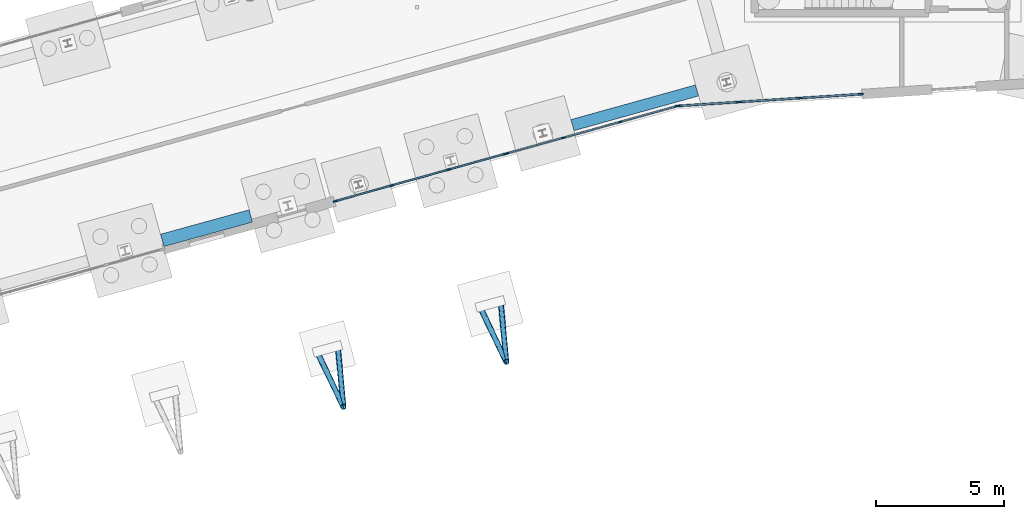
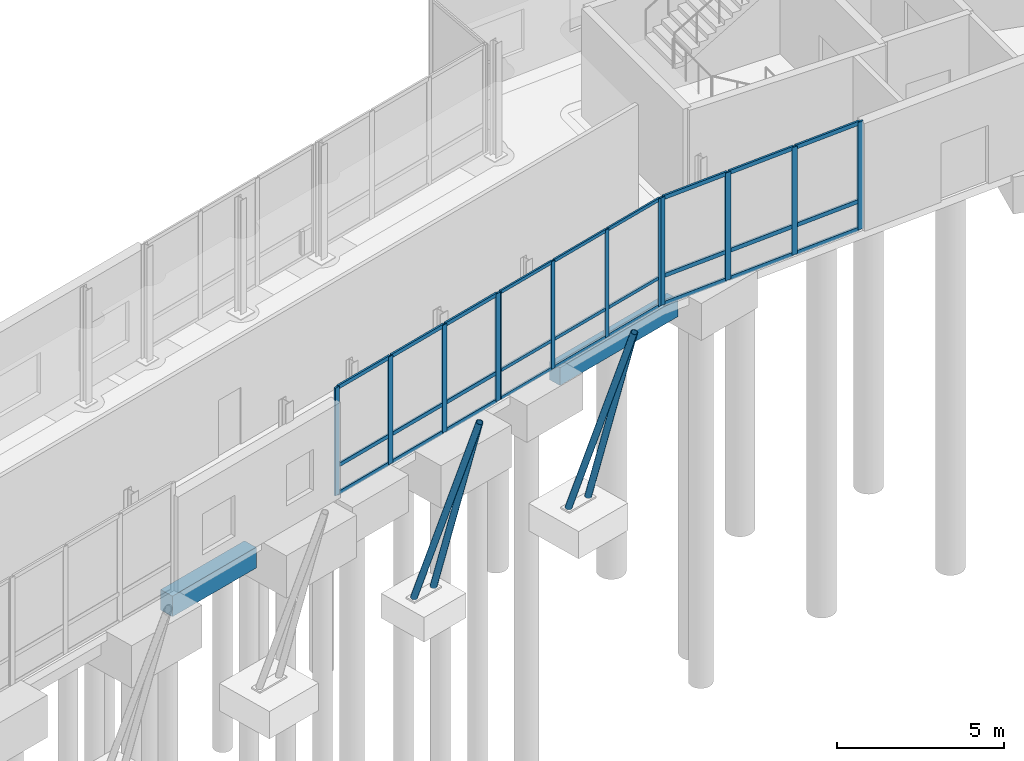
# One storey, part 35 of 113: 43 members, 2 beams, 3 elements without a shape of their own.
"""IFC4 building model written with IfcOpenShell, lengths in metres."""

from ifc_helpers import new_model, si_unit, direction, frame, origin, origin_2d, place, context, subcontext, project, spatial, rectangle, hollow_circle, extrude, material, material_profile, profile_set, type_object, element, aggregate, save


model = new_model("IFC4")

# Units and contexts
model_context = context("Model", 3, precision=1e-05, world=origin(), true_north=direction((0.0, 1.0)))
body_context = subcontext(model_context, "Body", "Model", "MODEL_VIEW")
ifc_project = project(units=[si_unit("LENGTHUNIT", "METRE"), si_unit("AREAUNIT", "SQUARE_METRE"), si_unit("VOLUMEUNIT", "CUBIC_METRE"), si_unit("PLANEANGLEUNIT", "RADIAN"), si_unit("MASSUNIT", "GRAM", prefix="KILO")], contexts=[model_context])

# Site, building, storey
site_placement = place(None, origin())
site = spatial("IfcSite", under=ifc_project, at=site_placement, CompositionType="ELEMENT")
building_placement = place(site_placement, origin())
building = spatial("IfcBuilding", under=site, at=building_placement, Name="Wrenclough Park School", CompositionType="ELEMENT")
storey_placement = place(building_placement, origin())
storey = spatial("IfcBuildingStorey", under=building, at=storey_placement, Name="L00", CompositionType="ELEMENT", Elevation=0.0)

# Curtain wall, members
ifc_material_1 = material(Name="Thermally broken aluminium and low-e glass curtain wall", Category="aluminium")
curtain_wall_type_1 = type_object("IfcCurtainWallType", Name="ENV-CW-08", PredefinedType="USERDEFINED", material=ifc_material_1)
curtain_wall_1_placement = place(storey_placement, origin())
curtain_wall_1 = element("IfcCurtainWall", 1, at=curtain_wall_1_placement, inside=storey, type_object=curtain_wall_type_1, Name="L00 recessed curtain wall assembly 039", ObjectType="CURTAIN WALL", PredefinedType="USERDEFINED")
ifc_material_2 = material(Name="Thermally broken anodised aluminium", Category="aluminium")
ifc_material_profile_1 = material_profile(ifc_material_2, rectangle(XDim=0.06005859375, YDim=0.159912109375, at=origin_2d()), Name="AL MULLION 60x160")
ifc_profile_set_1 = profile_set([ifc_material_profile_1], Name="Thermally broken anodised aluminium")
member_type_1 = type_object("IfcMemberType", Name="ENV-CWM-1", PredefinedType="MULLION", material=ifc_profile_set_1)
member_1_placement = place(storey_placement, frame((86.0087890625, 32.41845703125, 0.0), z_axis=(0.0, 0.0, 1.0), x_axis=(0.268072536011, -0.963398731282, 0.0)))
member_1 = element("IfcMember", 2, at=member_1_placement, type_object=member_type_1, Name="CW-08 mullion 1", PredefinedType="MULLION", context=body_context, shape_type="SweptSolid", body=[
    extrude(rectangle(XDim=0.06005859375, YDim=0.159912109375, at=origin_2d()), origin(), (0.0, 0.0, 1.0), 3.93994140625),
])
member_2_placement = place(storey_placement, frame((83.808349609375, 31.80615234375, 0.0), z_axis=(0.0, 0.0, 1.0), x_axis=(0.268072536011, -0.963398731282, 0.0)))
member_2 = element("IfcMember", 3, at=member_2_placement, type_object=member_type_1, Name="CW-08 mullion 2", PredefinedType="MULLION", context=body_context, shape_type="SweptSolid", body=[
    extrude(rectangle(XDim=0.06005859375, YDim=0.159912109375, at=origin_2d()), origin(), (0.0, 0.0, 1.0), 3.93994140625),
])
member_3_placement = place(storey_placement, frame((81.5791015625, 31.185791015625, 0.0), z_axis=(0.0, 0.0, 1.0), x_axis=(0.268072536011, -0.963398731282, 0.0)))
member_3 = element("IfcMember", 4, at=member_3_placement, type_object=member_type_1, Name="CW-08 mullion 3", PredefinedType="MULLION", context=body_context, shape_type="SweptSolid", body=[
    extrude(rectangle(XDim=0.06005859375, YDim=0.159912109375, at=origin_2d()), origin(), (0.0, 0.0, 1.0), 3.93994140625),
])
member_4_placement = place(storey_placement, frame((79.37890625, 30.57373046875, 0.0), z_axis=(0.0, 0.0, 1.0), x_axis=(0.268072536011, -0.963398731282, 0.0)))
member_4 = element("IfcMember", 5, at=member_4_placement, type_object=member_type_1, Name="CW-08 mullion 4", PredefinedType="MULLION", context=body_context, shape_type="SweptSolid", body=[
    extrude(rectangle(XDim=0.06005859375, YDim=0.159912109375, at=origin_2d()), origin(), (0.0, 0.0, 1.0), 3.93994140625),
])

curtain_wall_type_2 = type_object("IfcCurtainWallType", Name="ENV-CW-09", PredefinedType="USERDEFINED", material=ifc_material_1)
curtain_wall_2_placement = place(storey_placement, origin())
curtain_wall_2 = element("IfcCurtainWall", 6, at=curtain_wall_2_placement, inside=storey, type_object=curtain_wall_type_2, Name="L00 recessed curtain wall assembly 040", ObjectType="CURTAIN WALL", PredefinedType="USERDEFINED")
ifc_material_profile_2 = material_profile(ifc_material_2, rectangle(XDim=0.06494140625, YDim=0.179931640625, at=origin_2d()), Name="AL MULLION 65x180")
ifc_profile_set_2 = profile_set([ifc_material_profile_2], Name="Thermally broken anodised aluminium")
member_type_2 = type_object("IfcMemberType", Name="ENV-CWM-2", PredefinedType="MULLION", material=ifc_profile_set_2)
member_5_placement = place(storey_placement, frame((79.310791015625, 30.5546875, 0.0), z_axis=(0.0, 0.0, 1.0), x_axis=(0.268068815671, -0.963399766486, 0.0)))
member_5 = element("IfcMember", 7, at=member_5_placement, type_object=member_type_2, Name="CW-09 mullion 1", PredefinedType="MULLION", context=body_context, shape_type="SweptSolid", body=[
    extrude(rectangle(XDim=0.06494140625, YDim=0.179931640625, at=origin_2d()), origin(), (0.0, 0.0, 1.0), 3.93994140625),
])
member_6_placement = place(storey_placement, frame((77.11279296875, 29.943115234375, 0.0), z_axis=(0.0, 0.0, 1.0), x_axis=(0.268068815671, -0.963399766486, 0.0)))
member_6 = element("IfcMember", 8, at=member_6_placement, type_object=member_type_2, Name="CW-09 mullion 2", PredefinedType="MULLION", context=body_context, shape_type="SweptSolid", body=[
    extrude(rectangle(XDim=0.06494140625, YDim=0.179931640625, at=origin_2d()), origin(), (0.0, 0.0, 1.0), 3.93994140625),
])
member_7_placement = place(storey_placement, frame((74.883544921875, 29.32275390625, 0.0), z_axis=(0.0, 0.0, 1.0), x_axis=(0.268068815671, -0.963399766486, 0.0)))
member_7 = element("IfcMember", 9, at=member_7_placement, type_object=member_type_2, Name="CW-09 mullion 3", PredefinedType="MULLION", context=body_context, shape_type="SweptSolid", body=[
    extrude(rectangle(XDim=0.06494140625, YDim=0.179931640625, at=origin_2d()), origin(), (0.0, 0.0, 1.0), 3.93994140625),
])
member_8_placement = place(storey_placement, frame((72.685546875, 28.711181640625, 0.0), z_axis=(0.0, 0.0, 1.0), x_axis=(0.268068815671, -0.963399766486, 0.0)))
member_8 = element("IfcMember", 10, at=member_8_placement, type_object=member_type_2, Name="CW-09 mullion 4", PredefinedType="MULLION", context=body_context, shape_type="SweptSolid", body=[
    extrude(rectangle(XDim=0.06494140625, YDim=0.179931640625, at=origin_2d()), origin(), (0.0, 0.0, 1.0), 3.93994140625),
])

curtain_wall_type_3 = type_object("IfcCurtainWallType", Name="ENV-CW-07", PredefinedType="USERDEFINED", material=ifc_material_1)
curtain_wall_3_placement = place(storey_placement, origin())
curtain_wall_3 = element("IfcCurtainWall", 11, at=curtain_wall_3_placement, inside=storey, type_object=curtain_wall_type_3, Name="L00 recessed curtain wall assembly 038", ObjectType="CURTAIN WALL", PredefinedType="USERDEFINED")
ifc_material_profile_3 = material_profile(ifc_material_2, rectangle(XDim=0.070068359375, YDim=0.199951171875, at=origin_2d()), Name="AL MULLION 70x200")
ifc_profile_set_3 = profile_set([ifc_material_profile_3], Name="Thermally broken anodised aluminium")
member_type_3 = type_object("IfcMemberType", Name="ENV-CWM-3", PredefinedType="MULLION", material=ifc_profile_set_3)
member_9_placement = place(storey_placement, frame((93.202392578125, 32.888671875, 0.0), z_axis=(0.0, 0.0, 1.0), x_axis=(0.064258804509, -0.99793326733, 0.0)))
member_9 = element("IfcMember", 12, at=member_9_placement, type_object=member_type_3, Name="CW-07 mullion 1", PredefinedType="MULLION", context=body_context, shape_type="SweptSolid", body=[
    extrude(rectangle(XDim=0.070068359375, YDim=0.199951171875, at=origin_2d()), origin(), (0.0, 0.0, 1.0), 3.93994140625),
])
member_10_placement = place(storey_placement, frame((90.840087890625, 32.736572265625, 0.0), z_axis=(0.0, 0.0, 1.0), x_axis=(0.064258804509, -0.99793326733, 0.0)))
member_10 = element("IfcMember", 13, at=member_10_placement, type_object=member_type_3, Name="CW-07 mullion 2", PredefinedType="MULLION", context=body_context, shape_type="SweptSolid", body=[
    extrude(rectangle(XDim=0.070068359375, YDim=0.199951171875, at=origin_2d()), origin(), (0.0, 0.0, 1.0), 3.93994140625),
])
member_11_placement = place(storey_placement, frame((88.44287109375, 32.582275390625, 0.0), z_axis=(0.0, 0.0, 1.0), x_axis=(0.064258804509, -0.99793326733, 0.0)))
member_11 = element("IfcMember", 14, at=member_11_placement, type_object=member_type_3, Name="CW-07 mullion 3", PredefinedType="MULLION", context=body_context, shape_type="SweptSolid", body=[
    extrude(rectangle(XDim=0.070068359375, YDim=0.199951171875, at=origin_2d()), origin(), (0.0, 0.0, 1.0), 3.93994140625),
])
member_12_placement = place(storey_placement, frame((86.080322265625, 32.43017578125, 0.0), z_axis=(0.0, 0.0, 1.0), x_axis=(0.064258804509, -0.99793326733, 0.0)))
member_12 = element("IfcMember", 15, at=member_12_placement, type_object=member_type_3, Name="CW-07 mullion 4", PredefinedType="MULLION", context=body_context, shape_type="SweptSolid", body=[
    extrude(rectangle(XDim=0.070068359375, YDim=0.199951171875, at=origin_2d()), origin(), (0.0, 0.0, 1.0), 3.93994140625),
])

# Member
ifc_material_profile_4 = material_profile(ifc_material_2, rectangle(XDim=0.06005859375, YDim=0.1201171875, at=origin_2d()), Name="AL TRANSOM 60x120")
ifc_profile_set_4 = profile_set([ifc_material_profile_4], Name="Thermally broken anodised aluminium")
member_type_4 = type_object("IfcMemberType", Name="ENV-CWT-1", PredefinedType="USERDEFINED", material=ifc_profile_set_4)
member_13_placement = place(storey_placement, frame((85.979736328125, 32.410400390625, 0.030029296875), z_axis=(-0.963398286159, -0.268074135688, 0.0), x_axis=(0.268074135688, -0.963398286159, 0.0)))
member_13 = element("IfcMember", 16, at=member_13_placement, type_object=member_type_4, Name="CW-08 transom 1.1", ObjectType="TRANSOM", PredefinedType="USERDEFINED", context=body_context, shape_type="SweptSolid", body=[
    extrude(rectangle(XDim=0.06005859375, YDim=0.1201171875, at=origin_2d()), origin(), (0.0, 0.0, 1.0), 2.223876953125),
])

member_14_placement = place(storey_placement, frame((85.979736328125, 32.410400390625, 1.050048828125), z_axis=(-0.963398286159, -0.268074135688, 0.0), x_axis=(0.268074135688, -0.963398286159, 0.0)))
member_14 = element("IfcMember", 17, at=member_14_placement, type_object=member_type_4, Name="CW-08 transom 1.2", ObjectType="TRANSOM", PredefinedType="USERDEFINED", context=body_context, shape_type="SweptSolid", body=[
    extrude(rectangle(XDim=0.06005859375, YDim=0.1201171875, at=origin_2d()), origin(), (0.0, 0.0, 1.0), 2.223876953125),
])

member_15_placement = place(storey_placement, frame((85.979736328125, 32.410400390625, 3.909912109375), z_axis=(-0.963398286159, -0.268074135688, 0.0), x_axis=(0.268074135688, -0.963398286159, 0.0)))
member_15 = element("IfcMember", 18, at=member_15_placement, type_object=member_type_4, Name="CW-08 transom 1.3", ObjectType="TRANSOM", PredefinedType="USERDEFINED", context=body_context, shape_type="SweptSolid", body=[
    extrude(rectangle(XDim=0.06005859375, YDim=0.1201171875, at=origin_2d()), origin(), (0.0, 0.0, 1.0), 2.223876953125),
])

member_16_placement = place(storey_placement, frame((83.779541015625, 31.798095703125, 0.030029296875), z_axis=(-0.963393657546, -0.268090769331, 0.0), x_axis=(0.268090769331, -0.963393657546, 0.0)))
member_16 = element("IfcMember", 19, at=member_16_placement, type_object=member_type_4, Name="CW-08 transom 2.1", ObjectType="TRANSOM", PredefinedType="USERDEFINED", context=body_context, shape_type="SweptSolid", body=[
    extrude(rectangle(XDim=0.06005859375, YDim=0.1201171875, at=origin_2d()), origin(), (0.0, 0.0, 1.0), 2.25390625),
])

member_17_placement = place(storey_placement, frame((83.779541015625, 31.798095703125, 1.050048828125), z_axis=(-0.963393657546, -0.268090769331, 0.0), x_axis=(0.268090769331, -0.963393657546, 0.0)))
member_17 = element("IfcMember", 20, at=member_17_placement, type_object=member_type_4, Name="CW-08 transom 2.2", ObjectType="TRANSOM", PredefinedType="USERDEFINED", context=body_context, shape_type="SweptSolid", body=[
    extrude(rectangle(XDim=0.06005859375, YDim=0.1201171875, at=origin_2d()), origin(), (0.0, 0.0, 1.0), 2.25390625),
])

member_18_placement = place(storey_placement, frame((83.779541015625, 31.798095703125, 3.909912109375), z_axis=(-0.963393657546, -0.268090769331, 0.0), x_axis=(0.268090769331, -0.963393657546, 0.0)))
member_18 = element("IfcMember", 21, at=member_18_placement, type_object=member_type_4, Name="CW-08 transom 2.3", ObjectType="TRANSOM", PredefinedType="USERDEFINED", context=body_context, shape_type="SweptSolid", body=[
    extrude(rectangle(XDim=0.06005859375, YDim=0.1201171875, at=origin_2d()), origin(), (0.0, 0.0, 1.0), 2.25390625),
])

member_19_placement = place(storey_placement, frame((81.55029296875, 31.177978515625, 0.030029296875), z_axis=(-0.963398286159, -0.268074135688, 0.0), x_axis=(0.268074135688, -0.963398286159, 0.0)))
member_19 = element("IfcMember", 22, at=member_19_placement, type_object=member_type_4, Name="CW-08 transom 3.1", ObjectType="TRANSOM", PredefinedType="USERDEFINED", context=body_context, shape_type="SweptSolid", body=[
    extrude(rectangle(XDim=0.06005859375, YDim=0.1201171875, at=origin_2d()), origin(), (0.0, 0.0, 1.0), 2.223876953125),
])

member_20_placement = place(storey_placement, frame((81.55029296875, 31.177978515625, 1.050048828125), z_axis=(-0.963398286159, -0.268074135688, 0.0), x_axis=(0.268074135688, -0.963398286159, 0.0)))
member_20 = element("IfcMember", 23, at=member_20_placement, type_object=member_type_4, Name="CW-08 transom 3.2", ObjectType="TRANSOM", PredefinedType="USERDEFINED", context=body_context, shape_type="SweptSolid", body=[
    extrude(rectangle(XDim=0.06005859375, YDim=0.1201171875, at=origin_2d()), origin(), (0.0, 0.0, 1.0), 2.223876953125),
])

member_21_placement = place(storey_placement, frame((81.55029296875, 31.177978515625, 3.909912109375), z_axis=(-0.963398286159, -0.268074135688, 0.0), x_axis=(0.268074135688, -0.963398286159, 0.0)))
member_21 = element("IfcMember", 24, at=member_21_placement, type_object=member_type_4, Name="CW-08 transom 3.3", ObjectType="TRANSOM", PredefinedType="USERDEFINED", context=body_context, shape_type="SweptSolid", body=[
    extrude(rectangle(XDim=0.06005859375, YDim=0.1201171875, at=origin_2d()), origin(), (0.0, 0.0, 1.0), 2.223876953125),
])

aggregate(curtain_wall_1, [member_1, member_2, member_3, member_4, member_13, member_14, member_15, member_16, member_17, member_18, member_19, member_20, member_21])

ifc_material_profile_5 = material_profile(ifc_material_2, rectangle(XDim=0.06494140625, YDim=0.139892578125, at=origin_2d()), Name="AL TRANSOM 65x140")
ifc_profile_set_5 = profile_set([ifc_material_profile_5], Name="Thermally broken anodised aluminium")
member_type_5 = type_object("IfcMemberType", Name="ENV-CWT-2", PredefinedType="USERDEFINED", material=ifc_profile_set_5)
member_22_placement = place(storey_placement, frame((79.279541015625, 30.5458984375, 0.032470703125), z_axis=(-0.963424750139, -0.2679790119, 0.0), x_axis=(0.2679790119, -0.963424750139, 0.0)))
member_22 = element("IfcMember", 25, at=member_22_placement, type_object=member_type_5, Name="CW-09 transom 1.1", ObjectType="TRANSOM", PredefinedType="USERDEFINED", context=body_context, shape_type="SweptSolid", body=[
    extrude(rectangle(XDim=0.06494140625, YDim=0.139892578125, at=origin_2d()), origin(), (0.0, 0.0, 1.0), 2.216552734375),
])

member_23_placement = place(storey_placement, frame((79.279541015625, 30.5458984375, 1.050048828125), z_axis=(-0.963424750139, -0.2679790119, 0.0), x_axis=(0.2679790119, -0.963424750139, 0.0)))
member_23 = element("IfcMember", 26, at=member_23_placement, type_object=member_type_5, Name="CW-09 transom 1.2", ObjectType="TRANSOM", PredefinedType="USERDEFINED", context=body_context, shape_type="SweptSolid", body=[
    extrude(rectangle(XDim=0.06494140625, YDim=0.139892578125, at=origin_2d()), origin(), (0.0, 0.0, 1.0), 2.216552734375),
])

member_24_placement = place(storey_placement, frame((79.279541015625, 30.5458984375, 3.907470703125), z_axis=(-0.963424750139, -0.2679790119, 0.0), x_axis=(0.2679790119, -0.963424750139, 0.0)))
member_24 = element("IfcMember", 27, at=member_24_placement, type_object=member_type_5, Name="CW-09 transom 1.3", ObjectType="TRANSOM", PredefinedType="USERDEFINED", context=body_context, shape_type="SweptSolid", body=[
    extrude(rectangle(XDim=0.06494140625, YDim=0.139892578125, at=origin_2d()), origin(), (0.0, 0.0, 1.0), 2.216552734375),
])

member_25_placement = place(storey_placement, frame((77.08154296875, 29.934326171875, 0.032470703125), z_axis=(-0.963413637548, -0.268018960125, 0.0), x_axis=(0.268018960125, -0.963413637548, 0.0)))
member_25 = element("IfcMember", 28, at=member_25_placement, type_object=member_type_5, Name="CW-09 transom 2.1", ObjectType="TRANSOM", PredefinedType="USERDEFINED", context=body_context, shape_type="SweptSolid", body=[
    extrude(rectangle(XDim=0.06494140625, YDim=0.139892578125, at=origin_2d()), origin(), (0.0, 0.0, 1.0), 2.2490234375),
])

member_26_placement = place(storey_placement, frame((77.08154296875, 29.934326171875, 1.050048828125), z_axis=(-0.963413637548, -0.268018960125, 0.0), x_axis=(0.268018960125, -0.963413637548, 0.0)))
member_26 = element("IfcMember", 29, at=member_26_placement, type_object=member_type_5, Name="CW-09 transom 2.2", ObjectType="TRANSOM", PredefinedType="USERDEFINED", context=body_context, shape_type="SweptSolid", body=[
    extrude(rectangle(XDim=0.06494140625, YDim=0.139892578125, at=origin_2d()), origin(), (0.0, 0.0, 1.0), 2.2490234375),
])

member_27_placement = place(storey_placement, frame((77.08154296875, 29.934326171875, 3.907470703125), z_axis=(-0.963413637548, -0.268018960125, 0.0), x_axis=(0.268018960125, -0.963413637548, 0.0)))
member_27 = element("IfcMember", 30, at=member_27_placement, type_object=member_type_5, Name="CW-09 transom 2.3", ObjectType="TRANSOM", PredefinedType="USERDEFINED", context=body_context, shape_type="SweptSolid", body=[
    extrude(rectangle(XDim=0.06494140625, YDim=0.139892578125, at=origin_2d()), origin(), (0.0, 0.0, 1.0), 2.2490234375),
])

member_28_placement = place(storey_placement, frame((74.852294921875, 29.314208984375, 0.032470703125), z_axis=(-0.963388392216, -0.268109689761, 0.0), x_axis=(0.268109689761, -0.963388392216, 0.0)))
member_28 = element("IfcMember", 31, at=member_28_placement, type_object=member_type_5, Name="CW-09 transom 3.1", ObjectType="TRANSOM", PredefinedType="USERDEFINED", context=body_context, shape_type="SweptSolid", body=[
    extrude(rectangle(XDim=0.06494140625, YDim=0.139892578125, at=origin_2d()), origin(), (0.0, 0.0, 1.0), 2.21630859375),
])

member_29_placement = place(storey_placement, frame((74.852294921875, 29.314208984375, 1.050048828125), z_axis=(-0.963388392216, -0.268109689761, 0.0), x_axis=(0.268109689761, -0.963388392216, 0.0)))
member_29 = element("IfcMember", 32, at=member_29_placement, type_object=member_type_5, Name="CW-09 transom 3.2", ObjectType="TRANSOM", PredefinedType="USERDEFINED", context=body_context, shape_type="SweptSolid", body=[
    extrude(rectangle(XDim=0.06494140625, YDim=0.139892578125, at=origin_2d()), origin(), (0.0, 0.0, 1.0), 2.21630859375),
])

member_30_placement = place(storey_placement, frame((74.852294921875, 29.314208984375, 3.907470703125), z_axis=(-0.963388392216, -0.268109689761, 0.0), x_axis=(0.268109689761, -0.963388392216, 0.0)))
member_30 = element("IfcMember", 33, at=member_30_placement, type_object=member_type_5, Name="CW-09 transom 3.3", ObjectType="TRANSOM", PredefinedType="USERDEFINED", context=body_context, shape_type="SweptSolid", body=[
    extrude(rectangle(XDim=0.06494140625, YDim=0.139892578125, at=origin_2d()), origin(), (0.0, 0.0, 1.0), 2.21630859375),
])

aggregate(curtain_wall_2, [member_5, member_6, member_7, member_8, member_22, member_23, member_24, member_25, member_26, member_27, member_28, member_29, member_30])

ifc_material_profile_6 = material_profile(ifc_material_2, rectangle(XDim=0.070068359375, YDim=0.14990234375, at=origin_2d()), Name="AL TRANSOM 70x150")
ifc_profile_set_6 = profile_set([ifc_material_profile_6], Name="Thermally broken anodised aluminium")
member_type_6 = type_object("IfcMemberType", Name="ENV-CWT-3", PredefinedType="USERDEFINED", material=ifc_profile_set_6)
member_31_placement = place(storey_placement, frame((93.16748046875, 32.886474609375, 0.034912109375), z_axis=(-0.997930811842, -0.064296926642, 0.0), x_axis=(0.064296926642, -0.997930811842, 0.0)))
member_31 = element("IfcMember", 34, at=member_31_placement, type_object=member_type_6, Name="CW-07 transom 1.1", ObjectType="TRANSOM", PredefinedType="USERDEFINED", context=body_context, shape_type="SweptSolid", body=[
    extrude(rectangle(XDim=0.070068359375, YDim=0.14990234375, at=origin_2d()), origin(), (0.0, 0.0, 1.0), 2.297119140625),
])

member_32_placement = place(storey_placement, frame((93.16748046875, 32.886474609375, 1.050048828125), z_axis=(-0.997930811842, -0.064296926642, 0.0), x_axis=(0.064296926642, -0.997930811842, 0.0)))
member_32 = element("IfcMember", 35, at=member_32_placement, type_object=member_type_6, Name="CW-07 transom 1.2", ObjectType="TRANSOM", PredefinedType="USERDEFINED", context=body_context, shape_type="SweptSolid", body=[
    extrude(rectangle(XDim=0.070068359375, YDim=0.14990234375, at=origin_2d()), origin(), (0.0, 0.0, 1.0), 2.297119140625),
])

member_33_placement = place(storey_placement, frame((93.16748046875, 32.886474609375, 3.905029296875), z_axis=(-0.997930811842, -0.064296926642, 0.0), x_axis=(0.064296926642, -0.997930811842, 0.0)))
member_33 = element("IfcMember", 36, at=member_33_placement, type_object=member_type_6, Name="CW-07 transom 1.3", ObjectType="TRANSOM", PredefinedType="USERDEFINED", context=body_context, shape_type="SweptSolid", body=[
    extrude(rectangle(XDim=0.070068359375, YDim=0.14990234375, at=origin_2d()), origin(), (0.0, 0.0, 1.0), 2.297119140625),
])

member_34_placement = place(storey_placement, frame((90.80517578125, 32.734375, 0.034912109375), z_axis=(-0.997932245798, -0.064274666833, 0.0), x_axis=(0.064274666833, -0.997932245798, 0.0)))
member_34 = element("IfcMember", 37, at=member_34_placement, type_object=member_type_6, Name="CW-07 transom 2.1", ObjectType="TRANSOM", PredefinedType="USERDEFINED", context=body_context, shape_type="SweptSolid", body=[
    extrude(rectangle(XDim=0.070068359375, YDim=0.14990234375, at=origin_2d()), origin(), (0.0, 0.0, 1.0), 2.332275390625),
])

member_35_placement = place(storey_placement, frame((90.80517578125, 32.734375, 1.050048828125), z_axis=(-0.997932245798, -0.064274666833, 0.0), x_axis=(0.064274666833, -0.997932245798, 0.0)))
member_35 = element("IfcMember", 38, at=member_35_placement, type_object=member_type_6, Name="CW-07 transom 2.2", ObjectType="TRANSOM", PredefinedType="USERDEFINED", context=body_context, shape_type="SweptSolid", body=[
    extrude(rectangle(XDim=0.070068359375, YDim=0.14990234375, at=origin_2d()), origin(), (0.0, 0.0, 1.0), 2.332275390625),
])

member_36_placement = place(storey_placement, frame((90.80517578125, 32.734375, 3.905029296875), z_axis=(-0.997932245798, -0.064274666833, 0.0), x_axis=(0.064274666833, -0.997932245798, 0.0)))
member_36 = element("IfcMember", 39, at=member_36_placement, type_object=member_type_6, Name="CW-07 transom 2.3", ObjectType="TRANSOM", PredefinedType="USERDEFINED", context=body_context, shape_type="SweptSolid", body=[
    extrude(rectangle(XDim=0.070068359375, YDim=0.14990234375, at=origin_2d()), origin(), (0.0, 0.0, 1.0), 2.332275390625),
])

member_37_placement = place(storey_placement, frame((88.407958984375, 32.580078125, 0.034912109375), z_axis=(-0.997931251127, -0.064290108288, 0.0), x_axis=(0.064290108288, -0.997931251127, 0.0)))
member_37 = element("IfcMember", 40, at=member_37_placement, type_object=member_type_6, Name="CW-07 transom 3.1", ObjectType="TRANSOM", PredefinedType="USERDEFINED", context=body_context, shape_type="SweptSolid", body=[
    extrude(rectangle(XDim=0.070068359375, YDim=0.14990234375, at=origin_2d()), origin(), (0.0, 0.0, 1.0), 2.29736328125),
])

member_38_placement = place(storey_placement, frame((88.407958984375, 32.580078125, 1.050048828125), z_axis=(-0.997931251127, -0.064290108288, 0.0), x_axis=(0.064290108288, -0.997931251127, 0.0)))
member_38 = element("IfcMember", 41, at=member_38_placement, type_object=member_type_6, Name="CW-07 transom 3.2", ObjectType="TRANSOM", PredefinedType="USERDEFINED", context=body_context, shape_type="SweptSolid", body=[
    extrude(rectangle(XDim=0.070068359375, YDim=0.14990234375, at=origin_2d()), origin(), (0.0, 0.0, 1.0), 2.29736328125),
])

member_39_placement = place(storey_placement, frame((88.407958984375, 32.580078125, 3.905029296875), z_axis=(-0.997931251127, -0.064290108288, 0.0), x_axis=(0.064290108288, -0.997931251127, 0.0)))
member_39 = element("IfcMember", 42, at=member_39_placement, type_object=member_type_6, Name="CW-07 transom 3.3", ObjectType="TRANSOM", PredefinedType="USERDEFINED", context=body_context, shape_type="SweptSolid", body=[
    extrude(rectangle(XDim=0.070068359375, YDim=0.14990234375, at=origin_2d()), origin(), (0.0, 0.0, 1.0), 2.29736328125),
])

aggregate(curtain_wall_3, [member_9, member_10, member_11, member_12, member_31, member_32, member_33, member_34, member_35, member_36, member_37, member_38, member_39])

# Beams
ifc_material_3 = material(Name="Concrete C35/45", Category="concrete")
ifc_material_profile_7 = material_profile(ifc_material_3, rectangle(XDim=0.449951171875, YDim=0.64990234375, at=origin_2d()), Name="RC GROUND 450x650")
ifc_profile_set_7 = profile_set([ifc_material_profile_7], Name="Concrete C35/45")
beam_type_1 = type_object("IfcBeamType", Name="STR-BM-GTB1", PredefinedType="USERDEFINED", material=ifc_profile_set_7)
beam_1_placement = place(storey_placement, frame((86.801513671875, 33.03369140625, -0.625), z_axis=(-0.963389532728, -0.268105591567, 0.0), x_axis=(0.268105591567, -0.963389532728, 0.0)))
element("IfcBeam", 43, at=beam_1_placement, inside=storey, type_object=beam_type_1, Name="Reinforced concrete ground tie beam 119", ObjectType="GROUND TIE BEAM", PredefinedType="USERDEFINED", context=body_context, shape_type="SweptSolid", body=[
    extrude(rectangle(XDim=0.449951171875, YDim=0.64990234375, at=origin_2d()), origin(), (0.0, 0.0, 1.0), 5.044921875),
])
ifc_material_profile_8 = material_profile(ifc_material_3, rectangle(XDim=0.5, YDim=0.75, at=origin_2d()), Name="RC GROUND 500x750")
ifc_profile_set_8 = profile_set([ifc_material_profile_8], Name="Concrete C35/45")
beam_type_2 = type_object("IfcBeamType", Name="STR-BM-GTB2", PredefinedType="USERDEFINED", material=ifc_profile_set_8)
beam_2_placement = place(storey_placement, frame((69.370849609375, 28.131103515625, -0.675048828125), z_axis=(-0.964010078497, -0.265865696465, 0.0), x_axis=(0.265865696465, -0.964010078497, 0.0)))
element("IfcBeam", 44, at=beam_2_placement, inside=storey, type_object=beam_type_2, Name="Reinforced concrete ground tie beam 026", ObjectType="GROUND TIE BEAM", PredefinedType="USERDEFINED", context=body_context, shape_type="SweptSolid", body=[
    extrude(rectangle(XDim=0.5, YDim=0.75, at=origin_2d()), origin(), (0.0, 0.0, 1.0), 3.583984375),
])

# Members
ifc_material_4 = material(Name="Structural steel S355", Category="steel")
ifc_material_profile_9 = material_profile(ifc_material_4, hollow_circle(Radius=0.109619140625, WallThickness=0.012451171875, at=origin_2d()), Name="CHS 219.1x12.5")
ifc_profile_set_9 = profile_set([ifc_material_profile_9], Name="Structural steel S355")
member_type_7 = type_object("IfcMemberType", Name="STR-MEM-STRUT1", PredefinedType="STRUT", material=ifc_profile_set_9)
for number, where, z_axis, x_axis, name in (
    (45, (71.9619140625, 22.829345703125, 0.055908203125), (0.133109301491, -0.278465795058, 0.951177541177), (0.902222469295, 0.43127093097, 0.0), "EAVE-ENTRANCE raking steel eave V-strut 3L"),
    (46, (72.771484375, 23.052734375, 0.055908203125), (0.028439855682, -0.30734614293, 0.951172709362), (0.995746061999, 0.092140002245, 0.0), "EAVE-ENTRANCE raking steel eave V-strut 3R"),
    (47, (78.32421875, 24.584228515625, 0.055908203125), (0.133140306954, -0.278464624928, 0.951173544275), (0.902182673868, 0.431354173473, 0.0), "EAVE-ENTRANCE raking steel eave V-strut 4L"),
    (48, (79.134033203125, 24.8076171875, 0.055908203125), (0.028439855682, -0.30734614293, 0.951172709362), (0.995746061999, 0.092140002245, 0.0), "EAVE-ENTRANCE raking steel eave V-strut 4R"),
):
    element("IfcMember", number, at=place(storey_placement, frame(where, z_axis=z_axis, x_axis=x_axis)), inside=storey, type_object=member_type_7, Name=name, PredefinedType="STRUT", context=body_context, shape_type="SweptSolid", body=[
        extrude(hollow_circle(Radius=0.109619140625, WallThickness=0.012451171875, at=origin_2d()), origin(), (0.0, 0.0, 1.0), 7.734619140625),
    ])

save(model, "model.ifc")
